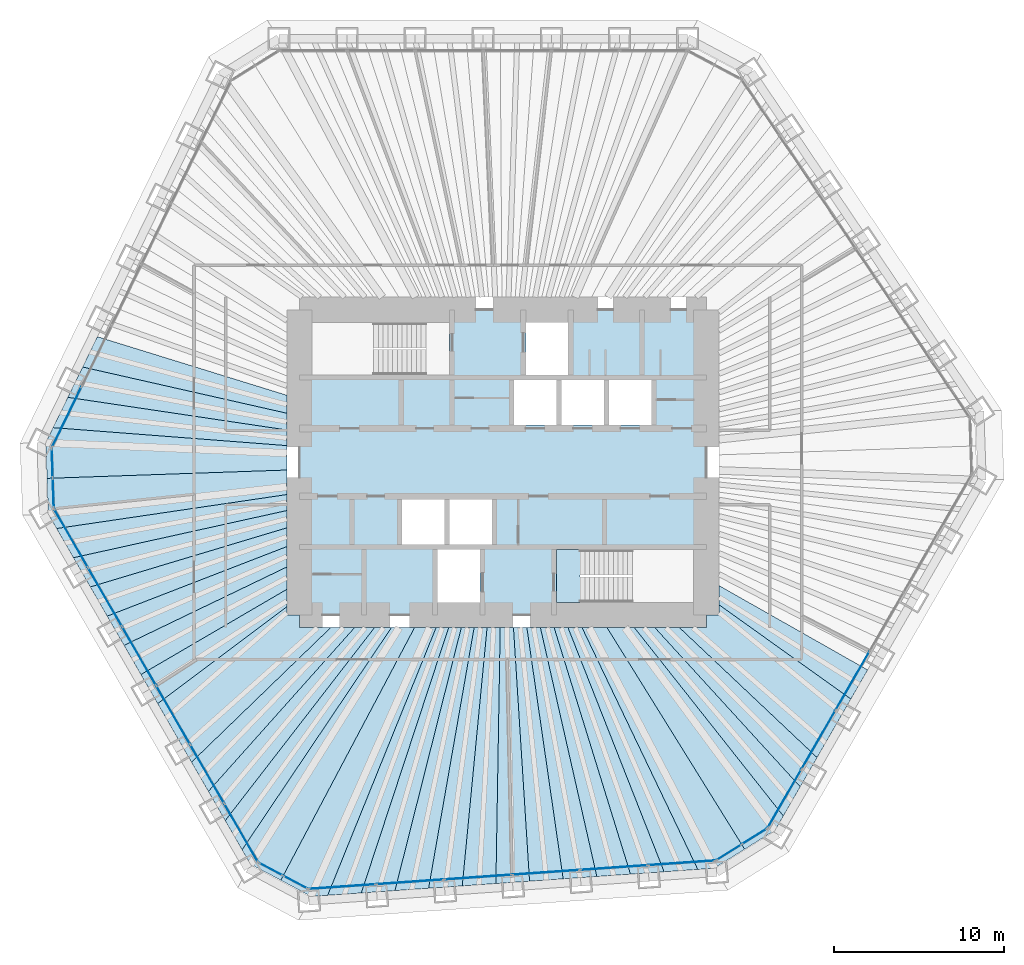
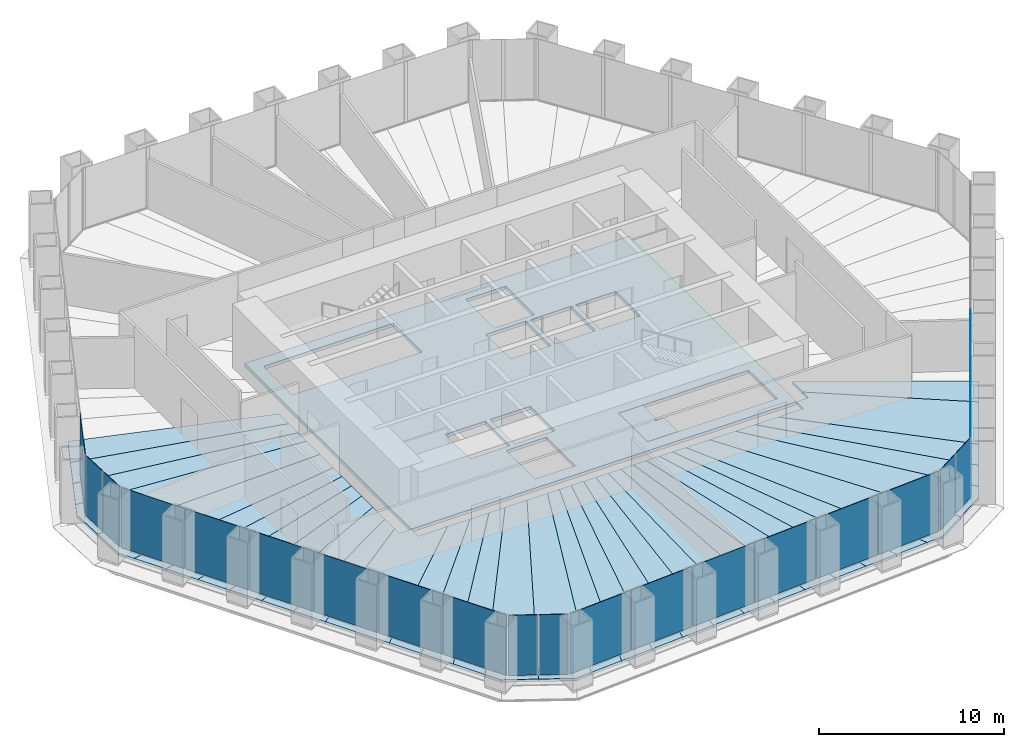
# One storey, part 8 of 13: 36 slabs, 22 plates, 8 elements without a shape of their own.
"""IFC4 building model written with IfcOpenShell, lengths in metres."""

from ifc_helpers import new_model, si_unit, direction, frame, origin, origin_2d, place, context, subcontext, project, spatial, polyline, rectangle, outline, extrude, material, layer, layer_set, type_object, element, aggregate, save


model = new_model("IFC4")

# Units and contexts
model_context = context("Model", 3, precision=1e-05, world=origin(), true_north=direction((0.0, 1.0)))
body_context = subcontext(model_context, "Body", "Model", "MODEL_VIEW")
ifc_project = project(units=[si_unit("LENGTHUNIT", "METRE"), si_unit("AREAUNIT", "SQUARE_METRE"), si_unit("VOLUMEUNIT", "CUBIC_METRE"), si_unit("PLANEANGLEUNIT", "RADIAN"), si_unit("MASSUNIT", "GRAM", prefix="KILO")], contexts=[model_context])

# Site, building, storey
site_placement = place(None, origin())
site = spatial("IfcSite", under=ifc_project, at=site_placement, CompositionType="ELEMENT")
building_placement = place(site_placement, origin())
building = spatial("IfcBuilding", under=site, at=building_placement, Name="Qingtian Harvest Tower", CompositionType="ELEMENT")
storey_placement = place(building_placement, frame((0.0, 0.0, 140.800048828125)))
storey = spatial("IfcBuildingStorey", under=building, at=storey_placement, Name="L29", CompositionType="ELEMENT", Elevation=140.800048828125)

# Slabs
ifc_material_1 = material(Name="Concrete fc' 35 MPa", Category="concrete")
ifc_layer_1 = layer(ifc_material_1, 0.169921875)
ifc_layer_set_1 = layer_set([ifc_layer_1], Name="Composite floor slab FS17 170")
slab_type_1 = type_object("IfcSlabType", Name="Composite floor slab FS17 170", PredefinedType="FLOOR", material=ifc_layer_set_1)
slab_1_placement = place(storey_placement, frame((0.0, 0.0, -0.170166015625)))
element("IfcSlab", 1, at=slab_1_placement, inside=storey, type_object=slab_type_1, Name="Floor slab L29 panel D01", PredefinedType="FLOOR", context=body_context, shape_type="SweptSolid", body=[
    extrude(outline(polyline([(-26.8935546875, -0.939208984375), (-12.75, -0.447998046875), (-12.75, -1.89599609375), (-26.333984375, -3.8984375), (-26.819580078125, -3.056884765625), (-26.8935546875, -0.939208984375)])), origin(), (0.0, 0.0, 1.0), 0.170166015625),
])
slab_2_placement = place(storey_placement, frame((0.0, 0.0, -0.170166015625)))
element("IfcSlab", 2, at=slab_2_placement, inside=storey, type_object=slab_type_1, Name="Floor slab L29 panel D02", PredefinedType="FLOOR", context=body_context, shape_type="SweptSolid", body=[
    extrude(outline(polyline([(-12.75, -2.838134765625), (-25.3388671875, -5.62158203125), (-26.333984375, -3.8984375), (-12.75, -1.89599609375), (-12.75, -2.838134765625)])), origin(), (0.0, 0.0, 1.0), 0.170166015625),
])
slab_3_placement = place(storey_placement, frame((0.0, 0.0, -0.170166015625)))
element("IfcSlab", 3, at=slab_3_placement, inside=storey, type_object=slab_type_1, Name="Floor slab L29 panel D03", PredefinedType="FLOOR", context=body_context, shape_type="SweptSolid", body=[
    extrude(outline(polyline([(-12.75, -3.857666015625), (-24.343994140625, -7.344970703125), (-25.3388671875, -5.62158203125), (-12.75, -2.838134765625), (-12.75, -3.857666015625)])), origin(), (0.0, 0.0, 1.0), 0.170166015625),
])
slab_4_placement = place(storey_placement, frame((0.0, 0.0, -0.170166015625)))
element("IfcSlab", 4, at=slab_4_placement, inside=storey, type_object=slab_type_1, Name="Floor slab L29 panel D04", PredefinedType="FLOOR", context=body_context, shape_type="SweptSolid", body=[
    extrude(outline(polyline([(-12.75, -4.9638671875), (-23.34912109375, -9.068115234375), (-24.343994140625, -7.344970703125), (-12.75, -3.857666015625), (-12.75, -4.9638671875)])), origin(), (0.0, 0.0, 1.0), 0.170166015625),
])
slab_5_placement = place(storey_placement, frame((0.0, 0.0, -0.170166015625)))
element("IfcSlab", 5, at=slab_5_placement, inside=storey, type_object=slab_type_1, Name="Floor slab L29 panel D05", PredefinedType="FLOOR", context=body_context, shape_type="SweptSolid", body=[
    extrude(outline(polyline([(-12.75, -6.1689453125), (-22.354248046875, -10.79150390625), (-23.34912109375, -9.068115234375), (-12.75, -4.9638671875), (-12.75, -6.1689453125)])), origin(), (0.0, 0.0, 1.0), 0.170166015625),
])
slab_6_placement = place(storey_placement, frame((0.0, 0.0, -0.170166015625)))
element("IfcSlab", 6, at=slab_6_placement, inside=storey, type_object=slab_type_1, Name="Floor slab L29 panel D06", PredefinedType="FLOOR", context=body_context, shape_type="SweptSolid", body=[
    extrude(outline(polyline([(-12.75, -7.486328125), (-21.359130859375, -12.5146484375), (-22.354248046875, -10.79150390625), (-12.75, -6.1689453125), (-12.75, -7.486328125)])), origin(), (0.0, 0.0, 1.0), 0.170166015625),
])
slab_7_placement = place(storey_placement, frame((0.0, 0.0, -0.170166015625)))
element("IfcSlab", 7, at=slab_7_placement, inside=storey, type_object=slab_type_1, Name="Floor slab L29 panel D07", PredefinedType="FLOOR", context=body_context, shape_type="SweptSolid", body=[
    extrude(outline(polyline([(-12.75, -8.512451171875), (-20.36865234375, -14.23046875), (-21.359130859375, -12.5146484375), (-12.75, -7.486328125), (-12.75, -8.512451171875)])), origin(), (0.0, 0.0, 1.0), 0.170166015625),
])
slab_8_placement = place(storey_placement, frame((0.0, 0.0, -0.170166015625)))
element("IfcSlab", 8, at=slab_8_placement, inside=storey, type_object=slab_type_1, Name="Floor slab L29 panel D09", PredefinedType="FLOOR", context=body_context, shape_type="SweptSolid", body=[
    extrude(outline(polyline([(-18.375, -17.683837890625), (-20.36865234375, -14.23046875), (-12.75, -8.512451171875), (-12.75, -9.0), (-12.0, -9.0), (-12.0, -9.75), (-10.168212890625, -9.75), (-18.375, -17.683837890625)])), origin(), (0.0, 0.0, 1.0), 0.170166015625),
])
slab_9_placement = place(storey_placement, frame((0.0, 0.0, -0.170166015625)))
element("IfcSlab", 9, at=slab_9_placement, inside=storey, type_object=slab_type_1, Name="Floor slab L29 panel D10", PredefinedType="FLOOR", context=body_context, shape_type="SweptSolid", body=[
    extrude(outline(polyline([(-8.759521484375, -9.75), (-17.3798828125, -19.4072265625), (-18.375, -17.683837890625), (-10.168212890625, -9.75), (-8.759521484375, -9.75)])), origin(), (0.0, 0.0, 1.0), 0.170166015625),
])
slab_10_placement = place(storey_placement, frame((0.0, 0.0, -0.170166015625)))
element("IfcSlab", 10, at=slab_10_placement, inside=storey, type_object=slab_type_1, Name="Floor slab L29 panel D11", PredefinedType="FLOOR", context=body_context, shape_type="SweptSolid", body=[
    extrude(outline(polyline([(-7.58203125, -9.75), (-16.385009765625, -21.13037109375), (-17.3798828125, -19.4072265625), (-8.759521484375, -9.75), (-7.58203125, -9.75)])), origin(), (0.0, 0.0, 1.0), 0.170166015625),
])
slab_11_placement = place(storey_placement, frame((0.0, 0.0, -0.170166015625)))
element("IfcSlab", 11, at=slab_11_placement, inside=storey, type_object=slab_type_1, Name="Floor slab L29 panel D12", PredefinedType="FLOOR", context=body_context, shape_type="SweptSolid", body=[
    extrude(outline(polyline([(-6.5830078125, -9.75), (-15.389892578125, -22.853759765625), (-16.385009765625, -21.13037109375), (-7.58203125, -9.75), (-6.5830078125, -9.75)])), origin(), (0.0, 0.0, 1.0), 0.170166015625),
])
slab_12_placement = place(storey_placement, frame((0.0, 0.0, -0.170166015625)))
element("IfcSlab", 12, at=slab_12_placement, inside=storey, type_object=slab_type_1, Name="Floor slab L29 panel D13", PredefinedType="FLOOR", context=body_context, shape_type="SweptSolid", body=[
    extrude(outline(polyline([(-6.5830078125, -9.75), (-5.21875, -9.75), (-13.107421875, -24.650634765625), (-14.904052734375, -23.6953125), (-15.389892578125, -22.853759765625), (-6.5830078125, -9.75)])), origin(), (0.0, 0.0, 1.0), 0.170166015625),
])
slab_13_placement = place(storey_placement, frame((0.0, 0.0, -0.170166015625)))
element("IfcSlab", 13, at=slab_13_placement, inside=storey, type_object=slab_type_1, Name="Floor slab L29 panel D14", PredefinedType="FLOOR", context=body_context, shape_type="SweptSolid", body=[
    extrude(outline(polyline([(-5.21875, -9.75), (-3.947021484375, -9.75), (-10.3408203125, -25.53857421875), (-11.31005859375, -25.606201171875), (-13.107421875, -24.650634765625), (-5.21875, -9.75)])), origin(), (0.0, 0.0, 1.0), 0.170166015625),
])
slab_14_placement = place(storey_placement, frame((0.0, 0.0, -0.170166015625)))
element("IfcSlab", 14, at=slab_14_placement, inside=storey, type_object=slab_type_1, Name="Floor slab L29 panel D15", PredefinedType="FLOOR", context=body_context, shape_type="SweptSolid", body=[
    extrude(outline(polyline([(-3.20654296875, -9.75), (-8.35595703125, -25.399658203125), (-10.3408203125, -25.53857421875), (-3.947021484375, -9.75), (-3.20654296875, -9.75)])), origin(), (0.0, 0.0, 1.0), 0.170166015625),
])
slab_15_placement = place(storey_placement, frame((0.0, 0.0, -0.170166015625)))
element("IfcSlab", 15, at=slab_15_placement, inside=storey, type_object=slab_type_1, Name="Floor slab L29 panel D16", PredefinedType="FLOOR", context=body_context, shape_type="SweptSolid", body=[
    extrude(outline(polyline([(-2.4580078125, -9.75), (-6.370849609375, -25.260986328125), (-8.35595703125, -25.399658203125), (-3.20654296875, -9.75), (-2.4580078125, -9.75)])), origin(), (0.0, 0.0, 1.0), 0.170166015625),
])
slab_16_placement = place(storey_placement, frame((0.0, 0.0, -0.170166015625)))
element("IfcSlab", 16, at=slab_16_placement, inside=storey, type_object=slab_type_1, Name="Floor slab L29 panel D17", PredefinedType="FLOOR", context=body_context, shape_type="SweptSolid", body=[
    extrude(outline(polyline([(-1.701171875, -9.75), (-4.385986328125, -25.1220703125), (-6.370849609375, -25.260986328125), (-2.4580078125, -9.75), (-1.701171875, -9.75)])), origin(), (0.0, 0.0, 1.0), 0.170166015625),
])
slab_17_placement = place(storey_placement, frame((0.0, 0.0, -0.170166015625)))
element("IfcSlab", 17, at=slab_17_placement, inside=storey, type_object=slab_type_1, Name="Floor slab L29 panel D18", PredefinedType="FLOOR", context=body_context, shape_type="SweptSolid", body=[
    extrude(outline(polyline([(-0.93603515625, -9.75), (-2.40087890625, -24.9833984375), (-4.385986328125, -25.1220703125), (-1.701171875, -9.75), (-0.93603515625, -9.75)])), origin(), (0.0, 0.0, 1.0), 0.170166015625),
])
slab_18_placement = place(storey_placement, frame((0.0, 0.0, -0.170166015625)))
element("IfcSlab", 18, at=slab_18_placement, inside=storey, type_object=slab_type_1, Name="Floor slab L29 panel D19", PredefinedType="FLOOR", context=body_context, shape_type="SweptSolid", body=[
    extrude(outline(polyline([(-0.162109375, -9.75), (-0.416015625, -24.844482421875), (-2.40087890625, -24.9833984375), (-0.93603515625, -9.75), (-0.162109375, -9.75)])), origin(), (0.0, 0.0, 1.0), 0.170166015625),
])
slab_19_placement = place(storey_placement, frame((0.0, 0.0, -0.170166015625)))
element("IfcSlab", 19, at=slab_19_placement, inside=storey, type_object=slab_type_1, Name="Floor slab L29 panel D20", PredefinedType="FLOOR", context=body_context, shape_type="SweptSolid", body=[
    extrude(outline(polyline([(0.620361328125, -9.75), (1.569091796875, -24.705810546875), (-0.416015625, -24.844482421875), (-0.162109375, -9.75), (0.620361328125, -9.75)])), origin(), (0.0, 0.0, 1.0), 0.170166015625),
])
slab_20_placement = place(storey_placement, frame((0.0, 0.0, -0.170166015625)))
element("IfcSlab", 20, at=slab_20_placement, inside=storey, type_object=slab_type_1, Name="Floor slab L29 panel D21", PredefinedType="FLOOR", context=body_context, shape_type="SweptSolid", body=[
    extrude(outline(polyline([(1.41162109375, -9.75), (3.553955078125, -24.56689453125), (1.569091796875, -24.705810546875), (0.620361328125, -9.75), (1.41162109375, -9.75)])), origin(), (0.0, 0.0, 1.0), 0.170166015625),
])
slab_21_placement = place(storey_placement, frame((0.0, 0.0, -0.170166015625)))
element("IfcSlab", 21, at=slab_21_placement, inside=storey, type_object=slab_type_1, Name="Floor slab L29 panel D22", PredefinedType="FLOOR", context=body_context, shape_type="SweptSolid", body=[
    extrude(outline(polyline([(2.2119140625, -9.75), (5.5390625, -24.42822265625), (3.553955078125, -24.56689453125), (1.41162109375, -9.75), (2.2119140625, -9.75)])), origin(), (0.0, 0.0, 1.0), 0.170166015625),
])
slab_22_placement = place(storey_placement, frame((0.0, 0.0, -0.170166015625)))
element("IfcSlab", 22, at=slab_22_placement, inside=storey, type_object=slab_type_1, Name="Floor slab L29 panel D23", PredefinedType="FLOOR", context=body_context, shape_type="SweptSolid", body=[
    extrude(outline(polyline([(3.021484375, -9.75), (7.524169921875, -24.289306640625), (5.5390625, -24.42822265625), (2.2119140625, -9.75), (3.021484375, -9.75)])), origin(), (0.0, 0.0, 1.0), 0.170166015625),
])
slab_23_placement = place(storey_placement, frame((0.0, 0.0, -0.170166015625)))
element("IfcSlab", 23, at=slab_23_placement, inside=storey, type_object=slab_type_1, Name="Floor slab L29 panel D24", PredefinedType="FLOOR", context=body_context, shape_type="SweptSolid", body=[
    extrude(outline(polyline([(3.840087890625, -9.75), (9.509033203125, -24.150390625), (7.524169921875, -24.289306640625), (3.021484375, -9.75), (3.840087890625, -9.75)])), origin(), (0.0, 0.0, 1.0), 0.170166015625),
])
slab_24_placement = place(storey_placement, frame((0.0, 0.0, -0.170166015625)))
element("IfcSlab", 24, at=slab_24_placement, inside=storey, type_object=slab_type_1, Name="Floor slab L29 panel D25", PredefinedType="FLOOR", context=body_context, shape_type="SweptSolid", body=[
    extrude(outline(polyline([(4.66845703125, -9.75), (11.494140625, -24.01171875), (9.509033203125, -24.150390625), (3.840087890625, -9.75), (4.66845703125, -9.75)])), origin(), (0.0, 0.0, 1.0), 0.170166015625),
])
slab_25_placement = place(storey_placement, frame((0.0, 0.0, -0.170166015625)))
element("IfcSlab", 25, at=slab_25_placement, inside=storey, type_object=slab_type_1, Name="Floor slab L29 panel D26", PredefinedType="FLOOR", context=body_context, shape_type="SweptSolid", body=[
    extrude(outline(polyline([(4.66845703125, -9.75), (6.14404296875, -9.75), (14.2607421875, -22.820556640625), (12.463134765625, -23.94384765625), (11.494140625, -24.01171875), (4.66845703125, -9.75)])), origin(), (0.0, 0.0, 1.0), 0.170166015625),
])
slab_26_placement = place(storey_placement, frame((0.0, 0.0, -0.170166015625)))
element("IfcSlab", 26, at=slab_26_placement, inside=storey, type_object=slab_type_1, Name="Floor slab L29 panel D27", PredefinedType="FLOOR", context=body_context, shape_type="SweptSolid", body=[
    extrude(outline(polyline([(6.14404296875, -9.75), (7.756103515625, -9.75), (16.543212890625, -20.8564453125), (16.05712890625, -21.697998046875), (14.2607421875, -22.820556640625), (6.14404296875, -9.75)])), origin(), (0.0, 0.0, 1.0), 0.170166015625),
])
slab_27_placement = place(storey_placement, frame((0.0, 0.0, -0.170166015625)))
element("IfcSlab", 27, at=slab_27_placement, inside=storey, type_object=slab_type_1, Name="Floor slab L29 panel D28", PredefinedType="FLOOR", context=body_context, shape_type="SweptSolid", body=[
    extrude(outline(polyline([(8.966552734375, -9.75), (17.5380859375, -19.133056640625), (16.543212890625, -20.8564453125), (7.756103515625, -9.75), (8.966552734375, -9.75)])), origin(), (0.0, 0.0, 1.0), 0.170166015625),
])
slab_28_placement = place(storey_placement, frame((0.0, 0.0, -0.170166015625)))
element("IfcSlab", 28, at=slab_28_placement, inside=storey, type_object=slab_type_1, Name="Floor slab L29 panel D29", PredefinedType="FLOOR", context=body_context, shape_type="SweptSolid", body=[
    extrude(outline(polyline([(10.41796875, -9.75), (18.532958984375, -17.40966796875), (17.5380859375, -19.133056640625), (8.966552734375, -9.75), (10.41796875, -9.75)])), origin(), (0.0, 0.0, 1.0), 0.170166015625),
])
slab_29_placement = place(storey_placement, frame((0.0, 0.0, -0.170166015625)))
element("IfcSlab", 29, at=slab_29_placement, inside=storey, type_object=slab_type_1, Name="Floor slab L29 panel D31", PredefinedType="FLOOR", context=body_context, shape_type="SweptSolid", body=[
    extrude(outline(polyline([(12.75, -8.398681640625), (20.525390625, -13.958740234375), (18.532958984375, -17.40966796875), (10.41796875, -9.75), (12.0, -9.75), (12.0, -9.0), (12.75, -9.0), (12.75, -8.398681640625)])), origin(), (0.0, 0.0, 1.0), 0.170166015625),
])
slab_30_placement = place(storey_placement, frame((0.0, 0.0, -0.170166015625)))
element("IfcSlab", 30, at=slab_30_placement, inside=storey, type_object=slab_type_1, Name="Floor slab L29 panel D32", PredefinedType="FLOOR", context=body_context, shape_type="SweptSolid", body=[
    extrude(outline(polyline([(12.75, -7.268798828125), (21.517333984375, -12.24072265625), (20.525390625, -13.958740234375), (12.75, -8.398681640625), (12.75, -7.268798828125)])), origin(), (0.0, 0.0, 1.0), 0.170166015625),
])
slab_31_placement = place(storey_placement, frame((0.0, 0.0, -0.170166015625)))
element("IfcSlab", 31, at=slab_31_placement, inside=storey, type_object=slab_type_1, Name="Floor slab L29 panel D75", PredefinedType="FLOOR", context=body_context, shape_type="SweptSolid", body=[
    extrude(outline(polyline([(-12.75, 2.903076171875), (-24.797119140625, 5.62890625), (-23.9248046875, 7.417236328125), (-12.75, 3.962646484375), (-12.75, 2.903076171875)])), origin(), (0.0, 0.0, 1.0), 0.170166015625),
])
slab_32_placement = place(storey_placement, frame((0.0, 0.0, -0.170166015625)))
element("IfcSlab", 32, at=slab_32_placement, inside=storey, type_object=slab_type_1, Name="Floor slab L29 panel D76", PredefinedType="FLOOR", context=body_context, shape_type="SweptSolid", body=[
    extrude(outline(polyline([(-12.75, 1.91552734375), (-25.66943359375, 3.84033203125), (-24.797119140625, 5.62890625), (-12.75, 2.903076171875), (-12.75, 1.91552734375)])), origin(), (0.0, 0.0, 1.0), 0.170166015625),
])
slab_33_placement = place(storey_placement, frame((0.0, 0.0, -0.170166015625)))
element("IfcSlab", 33, at=slab_33_placement, inside=storey, type_object=slab_type_1, Name="Floor slab L29 panel D77", PredefinedType="FLOOR", context=body_context, shape_type="SweptSolid", body=[
    extrude(outline(polyline([(-12.75, 0.992919921875), (-26.541748046875, 2.0517578125), (-25.66943359375, 3.84033203125), (-12.75, 1.91552734375), (-12.75, 0.992919921875)])), origin(), (0.0, 0.0, 1.0), 0.170166015625),
])
slab_34_placement = place(storey_placement, frame((0.0, 0.0, -0.170166015625)))
element("IfcSlab", 34, at=slab_34_placement, inside=storey, type_object=slab_type_1, Name="Floor slab L29 panel D78", PredefinedType="FLOOR", context=body_context, shape_type="SweptSolid", body=[
    extrude(outline(polyline([(-12.75, 0.992919921875), (-12.75, -0.447998046875), (-26.8935546875, -0.939208984375), (-26.967529296875, 1.1787109375), (-26.541748046875, 2.0517578125), (-12.75, 0.992919921875)])), origin(), (0.0, 0.0, 1.0), 0.170166015625),
])
ifc_material_2 = material(Name="Concrete fc' 35 MPa", Category="concrete")
ifc_layer_2 = layer(ifc_material_2, 0.219970703125)
ifc_layer_set_2 = layer_set([ifc_layer_2], Name="Core floor slab CS22 220")
slab_type_2 = type_object("IfcSlabType", Name="Core floor slab CS22 220", PredefinedType="FLOOR", material=ifc_layer_set_2)
slab_35_placement = place(storey_placement, frame((0.0, 0.0, -0.219970703125)))
element("IfcSlab", 35, at=slab_35_placement, inside=storey, type_object=slab_type_2, Name="Core floor slab L29", PredefinedType="FLOOR", context=body_context, shape_type="SweptSolid", body=[
    extrude(outline(polyline([(-12.0, -9.0), (12.0, -9.0), (12.0, 9.0), (-12.0, 9.0), (-12.0, -9.0)]), holes=[polyline([(-11.25, 5.14990234375), (-3.14990234375, 5.14990234375), (-3.14990234375, 8.25), (-11.25, 8.25), (-11.25, 5.14990234375)]), polyline([(3.14990234375, -8.25), (11.25, -8.25), (11.25, -5.14990234375), (3.14990234375, -5.14990234375), (3.14990234375, -8.25)]), polyline([(1.35009765625, 5.14990234375), (3.85009765625, 5.14990234375), (3.85009765625, 8.25), (1.35009765625, 8.25), (1.35009765625, 5.14990234375)]), polyline([(-3.85009765625, -8.25), (-1.35009765625, -8.25), (-1.35009765625, -5.14990234375), (-3.85009765625, -5.14990234375), (-3.85009765625, -8.25)]), polyline([(0.64990234375, 2.199951171875), (3.14990234375, 2.199951171875), (3.14990234375, 4.85009765625), (0.64990234375, 4.85009765625), (0.64990234375, 2.199951171875)]), polyline([(3.449951171875, 2.199951171875), (5.949951171875, 2.199951171875), (5.949951171875, 4.85009765625), (3.449951171875, 4.85009765625), (3.449951171875, 2.199951171875)]), polyline([(6.25, 2.199951171875), (8.75, 2.199951171875), (8.75, 4.85009765625), (6.25, 4.85009765625), (6.25, 2.199951171875)]), polyline([(-5.949951171875, -4.85009765625), (-3.449951171875, -4.85009765625), (-3.449951171875, -2.199951171875), (-5.949951171875, -2.199951171875), (-5.949951171875, -4.85009765625)]), polyline([(-3.14990234375, -4.85009765625), (-0.64990234375, -4.85009765625), (-0.64990234375, -2.199951171875), (-3.14990234375, -2.199951171875), (-3.14990234375, -4.85009765625)])]), origin(), (0.0, 0.0, 1.0), 0.219970703125),
])

# Curtain wall, plates
ifc_material_3 = material(Name="Bronze-anodised aluminium curtain wall", Category="aluminium")
curtain_wall_type = type_object("IfcCurtainWallType", Name="Curtain wall CW4 office", PredefinedType="USERDEFINED", material=ifc_material_3)
curtain_wall_1_placement = place(storey_placement, origin())
curtain_wall_1 = element("IfcCurtainWall", 36, at=curtain_wall_1_placement, inside=storey, type_object=curtain_wall_type, Name="Curtain wall CW4 L29 SE0-5", ObjectType="RECESSED CURTAIN WALL", PredefinedType="USERDEFINED")
ifc_material_4 = material(Name="Bronze-tinted laminated insulating glass", Category="glass")
ifc_layer_3 = layer(ifc_material_4, 0.030029296875)
ifc_layer_set_3 = layer_set([ifc_layer_3], Name="Glazed panel CWP tinted IGU")
plate_type = type_object("IfcPlateType", Name="Glazed panel CWP tinted IGU", PredefinedType="CURTAIN_PANEL", material=ifc_layer_set_3)
plate_1_placement = place(storey_placement, frame((20.621826171875, -12.8818359375, 0.06494140625), z_axis=(0.0, 0.0, 1.0), x_axis=(-0.5, -0.866025403784, 0.0)))
plate_1 = element("IfcPlate", 37, at=plate_1_placement, type_object=plate_type, Name="CW4 panel 4.1", PredefinedType="CURTAIN_PANEL", context=body_context, shape_type="SweptSolid", body=[
    extrude(rectangle(XDim=3.9541015625, YDim=0.030029296875, at=origin_2d()), origin(), (0.0, 0.0, 1.0), 3.965087890625),
])
plate_2_placement = place(storey_placement, frame((18.6123046875, -16.362548828125, 0.06494140625), z_axis=(0.0, 0.0, 1.0), x_axis=(-0.5, -0.866025403784, 0.0)))
plate_2 = element("IfcPlate", 38, at=plate_2_placement, type_object=plate_type, Name="CW4 panel 5.1", PredefinedType="CURTAIN_PANEL", context=body_context, shape_type="SweptSolid", body=[
    extrude(rectangle(XDim=3.9541015625, YDim=0.030029296875, at=origin_2d()), origin(), (0.0, 0.0, 1.0), 3.965087890625),
])
plate_3_placement = place(storey_placement, frame((16.61083984375, -19.8291015625, 0.06494140625), z_axis=(0.0, 0.0, 1.0), x_axis=(-0.5, -0.866025403784, 0.0)))
plate_3 = element("IfcPlate", 39, at=plate_3_placement, type_object=plate_type, Name="CW4 panel 6.1", PredefinedType="CURTAIN_PANEL", context=body_context, shape_type="SweptSolid", body=[
    extrude(rectangle(XDim=3.921630859375, YDim=0.030029296875, at=origin_2d()), origin(), (0.0, 0.0, 1.0), 3.965087890625),
])
aggregate(curtain_wall_1, [plate_1, plate_2, plate_3])

curtain_wall_2_placement = place(storey_placement, origin())
curtain_wall_2 = element("IfcCurtainWall", 40, at=curtain_wall_2_placement, inside=storey, type_object=curtain_wall_type, Name="Curtain wall CW4 L29 SEC", ObjectType="RECESSED CURTAIN WALL", PredefinedType="USERDEFINED")
plate_4_placement = place(storey_placement, frame((14.8251953125, -22.06640625, 0.06494140625), z_axis=(0.0, 0.0, 1.0), x_axis=(-0.848048096156, -0.529919264233, 0.0)))
plate_4 = element("IfcPlate", 41, at=plate_4_placement, type_object=plate_type, Name="CW4 panel 1.1", PredefinedType="CURTAIN_PANEL", context=body_context, shape_type="SweptSolid", body=[
    extrude(rectangle(XDim=1.69287109375, YDim=0.030029296875, at=origin_2d()), origin(), (0.0, 0.0, 1.0), 3.965087890625),
])
plate_5_placement = place(storey_placement, frame((13.334228515625, -22.998046875, 0.06494140625), z_axis=(0.0, 0.0, 1.0), x_axis=(-0.848048096156, -0.529919264233, 0.0)))
plate_5 = element("IfcPlate", 42, at=plate_5_placement, type_object=plate_type, Name="CW4 panel 2.1", PredefinedType="CURTAIN_PANEL", context=body_context, shape_type="SweptSolid", body=[
    extrude(rectangle(XDim=1.69287109375, YDim=0.030029296875, at=origin_2d()), origin(), (0.0, 0.0, 1.0), 3.965087890625),
])
aggregate(curtain_wall_2, [plate_4, plate_5])

curtain_wall_3_placement = place(storey_placement, origin())
curtain_wall_3 = element("IfcCurtainWall", 43, at=curtain_wall_3_placement, inside=storey, type_object=curtain_wall_type, Name="Curtain wall CW4 L29 S0-5", ObjectType="RECESSED CURTAIN WALL", PredefinedType="USERDEFINED")
plate_6_placement = place(storey_placement, frame((10.54052734375, -23.622314453125, 0.06494140625), z_axis=(0.0, 0.0, 1.0), x_axis=(-0.99756405026, -0.069756473744, 0.0)))
plate_6 = element("IfcPlate", 44, at=plate_6_placement, type_object=plate_type, Name="CW4 panel 1.1", PredefinedType="CURTAIN_PANEL", context=body_context, shape_type="SweptSolid", body=[
    extrude(rectangle(XDim=3.921630859375, YDim=0.030029296875, at=origin_2d()), origin(), (0.0, 0.0, 1.0), 3.965087890625),
])
plate_7_placement = place(storey_placement, frame((6.54736328125, -23.901611328125, 0.06494140625), z_axis=(0.0, 0.0, 1.0), x_axis=(-0.99756405026, -0.069756473744, 0.0)))
plate_7 = element("IfcPlate", 45, at=plate_7_placement, type_object=plate_type, Name="CW4 panel 2.1", PredefinedType="CURTAIN_PANEL", context=body_context, shape_type="SweptSolid", body=[
    extrude(rectangle(XDim=3.9541015625, YDim=0.030029296875, at=origin_2d()), origin(), (0.0, 0.0, 1.0), 3.965087890625),
])
plate_8_placement = place(storey_placement, frame((2.5380859375, -24.181884765625, 0.06494140625), z_axis=(0.0, 0.0, 1.0), x_axis=(-0.99756405026, -0.069756473744, 0.0)))
plate_8 = element("IfcPlate", 46, at=plate_8_placement, type_object=plate_type, Name="CW4 panel 3.1", PredefinedType="CURTAIN_PANEL", context=body_context, shape_type="SweptSolid", body=[
    extrude(rectangle(XDim=3.9541015625, YDim=0.030029296875, at=origin_2d()), origin(), (0.0, 0.0, 1.0), 3.965087890625),
])
plate_9_placement = place(storey_placement, frame((-1.47119140625, -24.462158203125, 0.06494140625), z_axis=(0.0, 0.0, 1.0), x_axis=(-0.99756405026, -0.069756473744, 0.0)))
plate_9 = element("IfcPlate", 47, at=plate_9_placement, type_object=plate_type, Name="CW4 panel 4.1", PredefinedType="CURTAIN_PANEL", context=body_context, shape_type="SweptSolid", body=[
    extrude(rectangle(XDim=3.9541015625, YDim=0.030029296875, at=origin_2d()), origin(), (0.0, 0.0, 1.0), 3.965087890625),
])
plate_10_placement = place(storey_placement, frame((-5.48046875, -24.74267578125, 0.06494140625), z_axis=(0.0, 0.0, 1.0), x_axis=(-0.99756405026, -0.069756473744, 0.0)))
plate_10 = element("IfcPlate", 48, at=plate_10_placement, type_object=plate_type, Name="CW4 panel 5.1", PredefinedType="CURTAIN_PANEL", context=body_context, shape_type="SweptSolid", body=[
    extrude(rectangle(XDim=3.9541015625, YDim=0.030029296875, at=origin_2d()), origin(), (0.0, 0.0, 1.0), 3.965087890625),
])
plate_11_placement = place(storey_placement, frame((-9.4736328125, -25.021728515625, 0.06494140625), z_axis=(0.0, 0.0, 1.0), x_axis=(-0.99756405026, -0.069756473744, 0.0)))
plate_11 = element("IfcPlate", 49, at=plate_11_placement, type_object=plate_type, Name="CW4 panel 6.1", PredefinedType="CURTAIN_PANEL", context=body_context, shape_type="SweptSolid", body=[
    extrude(rectangle(XDim=3.921630859375, YDim=0.030029296875, at=origin_2d()), origin(), (0.0, 0.0, 1.0), 3.965087890625),
])
aggregate(curtain_wall_3, [plate_6, plate_7, plate_8, plate_9, plate_10, plate_11])

curtain_wall_4_placement = place(storey_placement, origin())
curtain_wall_4 = element("IfcCurtainWall", 50, at=curtain_wall_4_placement, inside=storey, type_object=curtain_wall_type, Name="Curtain wall CW4 L29 SC", ObjectType="RECESSED CURTAIN WALL", PredefinedType="USERDEFINED")
plate_12_placement = place(storey_placement, frame((-12.24365234375, -24.764892578125, 0.06494140625), z_axis=(0.0, 0.0, 1.0), x_axis=(-0.882947592859, 0.469471562786, 0.0)))
plate_12 = element("IfcPlate", 51, at=plate_12_placement, type_object=plate_type, Name="CW4 panel 1.1", PredefinedType="CURTAIN_PANEL", context=body_context, shape_type="SweptSolid", body=[
    extrude(rectangle(XDim=1.56689453125, YDim=0.030029296875, at=origin_2d()), origin(), (0.0, 0.0, 1.0), 3.965087890625),
])
plate_13_placement = place(storey_placement, frame((-13.684326171875, -23.998779296875, 0.06494140625), z_axis=(0.0, 0.0, 1.0), x_axis=(-0.882947592859, 0.469471562786, 0.0)))
plate_13 = element("IfcPlate", 52, at=plate_13_placement, type_object=plate_type, Name="CW4 panel 2.1", PredefinedType="CURTAIN_PANEL", context=body_context, shape_type="SweptSolid", body=[
    extrude(rectangle(XDim=1.56689453125, YDim=0.030029296875, at=origin_2d()), origin(), (0.0, 0.0, 1.0), 3.965087890625),
])
aggregate(curtain_wall_4, [plate_12, plate_13])

curtain_wall_5_placement = place(storey_placement, origin())
curtain_wall_5 = element("IfcCurtainWall", 53, at=curtain_wall_5_placement, inside=storey, type_object=curtain_wall_type, Name="Curtain wall CW4 L29 SW0-5", ObjectType="RECESSED CURTAIN WALL", PredefinedType="USERDEFINED")
plate_14_placement = place(storey_placement, frame((-15.446533203125, -21.845947265625, 0.06494140625), z_axis=(0.0, 0.0, 1.0), x_axis=(-0.5, 0.866025403784, 0.0)))
plate_14 = element("IfcPlate", 54, at=plate_14_placement, type_object=plate_type, Name="CW4 panel 1.1", PredefinedType="CURTAIN_PANEL", context=body_context, shape_type="SweptSolid", body=[
    extrude(rectangle(XDim=3.921630859375, YDim=0.030029296875, at=origin_2d()), origin(), (0.0, 0.0, 1.0), 3.965087890625),
])
plate_15_placement = place(storey_placement, frame((-17.44775390625, -18.37939453125, 0.06494140625), z_axis=(0.0, 0.0, 1.0), x_axis=(-0.5, 0.866025403784, 0.0)))
plate_15 = element("IfcPlate", 55, at=plate_15_placement, type_object=plate_type, Name="CW4 panel 2.1", PredefinedType="CURTAIN_PANEL", context=body_context, shape_type="SweptSolid", body=[
    extrude(rectangle(XDim=3.9541015625, YDim=0.030029296875, at=origin_2d()), origin(), (0.0, 0.0, 1.0), 3.965087890625),
])
plate_16_placement = place(storey_placement, frame((-19.45751953125, -14.898681640625, 0.06494140625), z_axis=(0.0, 0.0, 1.0), x_axis=(-0.5, 0.866025403784, 0.0)))
plate_16 = element("IfcPlate", 56, at=plate_16_placement, type_object=plate_type, Name="CW4 panel 3.1", PredefinedType="CURTAIN_PANEL", context=body_context, shape_type="SweptSolid", body=[
    extrude(rectangle(XDim=3.9541015625, YDim=0.030029296875, at=origin_2d()), origin(), (0.0, 0.0, 1.0), 3.965087890625),
])
plate_17_placement = place(storey_placement, frame((-21.467041015625, -11.418212890625, 0.06494140625), z_axis=(0.0, 0.0, 1.0), x_axis=(-0.5, 0.866025403784, 0.0)))
plate_17 = element("IfcPlate", 57, at=plate_17_placement, type_object=plate_type, Name="CW4 panel 4.1", PredefinedType="CURTAIN_PANEL", context=body_context, shape_type="SweptSolid", body=[
    extrude(rectangle(XDim=3.9541015625, YDim=0.030029296875, at=origin_2d()), origin(), (0.0, 0.0, 1.0), 3.965087890625),
])
plate_18_placement = place(storey_placement, frame((-23.4765625, -7.9375, 0.06494140625), z_axis=(0.0, 0.0, 1.0), x_axis=(-0.5, 0.866025403784, 0.0)))
plate_18 = element("IfcPlate", 58, at=plate_18_placement, type_object=plate_type, Name="CW4 panel 5.1", PredefinedType="CURTAIN_PANEL", context=body_context, shape_type="SweptSolid", body=[
    extrude(rectangle(XDim=3.9541015625, YDim=0.030029296875, at=origin_2d()), origin(), (0.0, 0.0, 1.0), 3.965087890625),
])
plate_19_placement = place(storey_placement, frame((-25.477783203125, -4.470947265625, 0.06494140625), z_axis=(0.0, 0.0, 1.0), x_axis=(-0.5, 0.866025403784, 0.0)))
plate_19 = element("IfcPlate", 59, at=plate_19_placement, type_object=plate_type, Name="CW4 panel 6.1", PredefinedType="CURTAIN_PANEL", context=body_context, shape_type="SweptSolid", body=[
    extrude(rectangle(XDim=3.921630859375, YDim=0.030029296875, at=origin_2d()), origin(), (0.0, 0.0, 1.0), 3.965087890625),
])
aggregate(curtain_wall_5, [plate_14, plate_15, plate_16, plate_17, plate_18, plate_19])

curtain_wall_6_placement = place(storey_placement, origin())
curtain_wall_6 = element("IfcCurtainWall", 60, at=curtain_wall_6_placement, inside=storey, type_object=curtain_wall_type, Name="Curtain wall CW4 L29 SWC", ObjectType="RECESSED CURTAIN WALL", PredefinedType="USERDEFINED")
plate_20_placement = place(storey_placement, frame((-26.522705078125, -1.8056640625, 0.06494140625), z_axis=(0.0, 0.0, 1.0), x_axis=(-0.034899496703, 0.999390827019, 0.0)))
plate_20 = element("IfcPlate", 61, at=plate_20_placement, type_object=plate_type, Name="CW4 panel 1.1", PredefinedType="CURTAIN_PANEL", context=body_context, shape_type="SweptSolid", body=[
    extrude(rectangle(XDim=1.69287109375, YDim=0.030029296875, at=origin_2d()), origin(), (0.0, 0.0, 1.0), 3.965087890625),
])
plate_21_placement = place(storey_placement, frame((-26.583984375, -0.048828125, 0.06494140625), z_axis=(0.0, 0.0, 1.0), x_axis=(-0.034899496703, 0.999390827019, 0.0)))
plate_21 = element("IfcPlate", 62, at=plate_21_placement, type_object=plate_type, Name="CW4 panel 2.1", PredefinedType="CURTAIN_PANEL", context=body_context, shape_type="SweptSolid", body=[
    extrude(rectangle(XDim=1.69287109375, YDim=0.030029296875, at=origin_2d()), origin(), (0.0, 0.0, 1.0), 3.965087890625),
])
aggregate(curtain_wall_6, [plate_20, plate_21])

# Curtain wall, plate
curtain_wall_7_placement = place(storey_placement, origin())
curtain_wall_7 = element("IfcCurtainWall", 63, at=curtain_wall_7_placement, inside=storey, type_object=curtain_wall_type, Name="Curtain wall CW4 L29 NW0-5", ObjectType="RECESSED CURTAIN WALL", PredefinedType="USERDEFINED")
plate_22_placement = place(storey_placement, frame((-25.727783203125, 2.682861328125, 0.06494140625), z_axis=(0.0, 0.0, 1.0), x_axis=(0.438371146789, 0.898794046299, 0.0)))
plate_22 = element("IfcPlate", 64, at=plate_22_placement, type_object=plate_type, Name="CW4 panel 1.1", PredefinedType="CURTAIN_PANEL", context=body_context, shape_type="SweptSolid", body=[
    extrude(rectangle(XDim=3.921630859375, YDim=0.030029296875, at=origin_2d()), origin(), (0.0, 0.0, 1.0), 3.965087890625),
])
aggregate(curtain_wall_7, [plate_22])

# Stair, slab
ifc_material_5 = material(Name="Concrete fc' 35 MPa", Category="concrete")
stair_type = type_object("IfcStairType", Name="Special stair ST3 4200", PredefinedType="HALF_TURN_STAIR", material=ifc_material_5)
stair_placement = place(storey_placement, origin())
stair = element("IfcStair", 65, at=stair_placement, inside=storey, type_object=stair_type, Name="Special stair S2 L29", PredefinedType="HALF_TURN_STAIR")
ifc_material_6 = material(Name="Concrete fc' 35 MPa", Category="concrete")
ifc_layer_4 = layer(ifc_material_6, 0.199951171875)
ifc_layer_set_4 = layer_set([ifc_layer_4], Name="Stair landing SL2 200")
slab_type_3 = type_object("IfcSlabType", Name="Stair landing SL2 200", PredefinedType="LANDING", material=ifc_layer_set_4)
slab_36_placement = place(storey_placement, frame((0.0, 0.0, -0.199951171875)))
slab_36 = element("IfcSlab", 66, at=slab_36_placement, type_object=slab_type_3, Name="S2 landing 1", PredefinedType="LANDING", context=body_context, shape_type="SweptSolid", body=[
    extrude(outline(polyline([(5.0849609375, -8.25), (3.14990234375, -8.25), (3.14990234375, -5.14990234375), (4.64990234375, -5.14990234375), (4.64990234375, -6.64990234375), (4.550048828125, -6.64990234375), (4.550048828125, -6.75), (5.0849609375, -6.75), (5.0849609375, -8.25)])), origin(), (0.0, 0.0, 1.0), 0.199951171875),
])
aggregate(stair, [slab_36])

save(model, "model.ifc")
